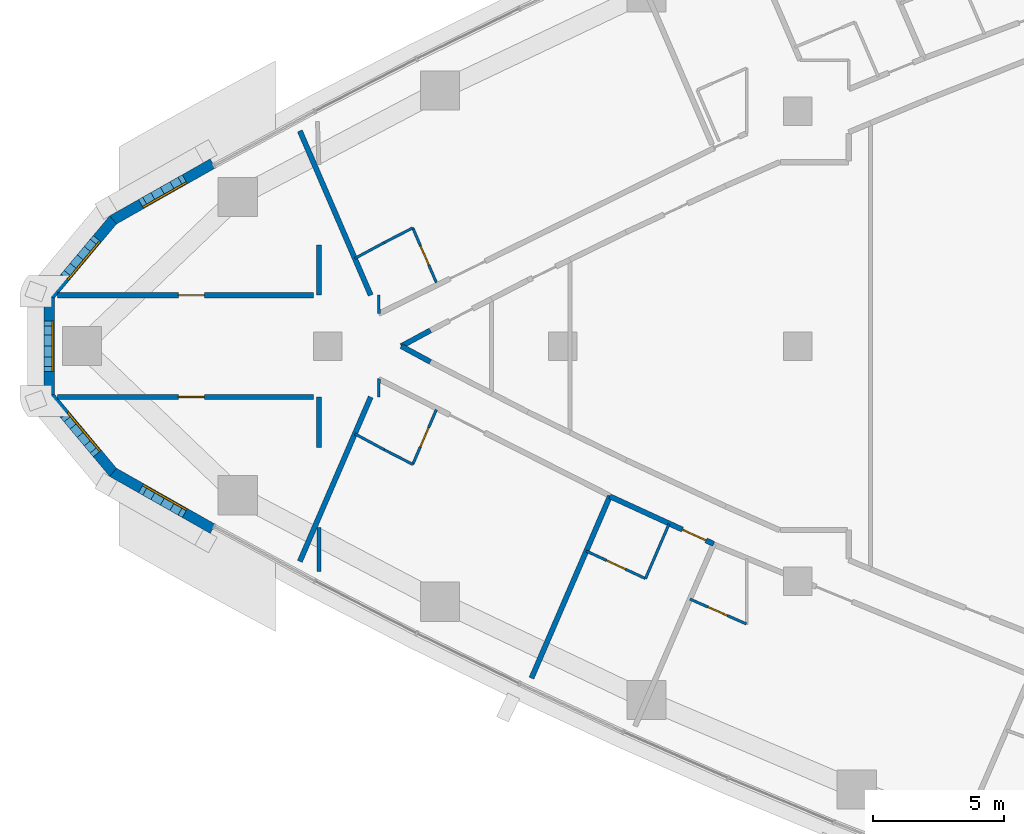
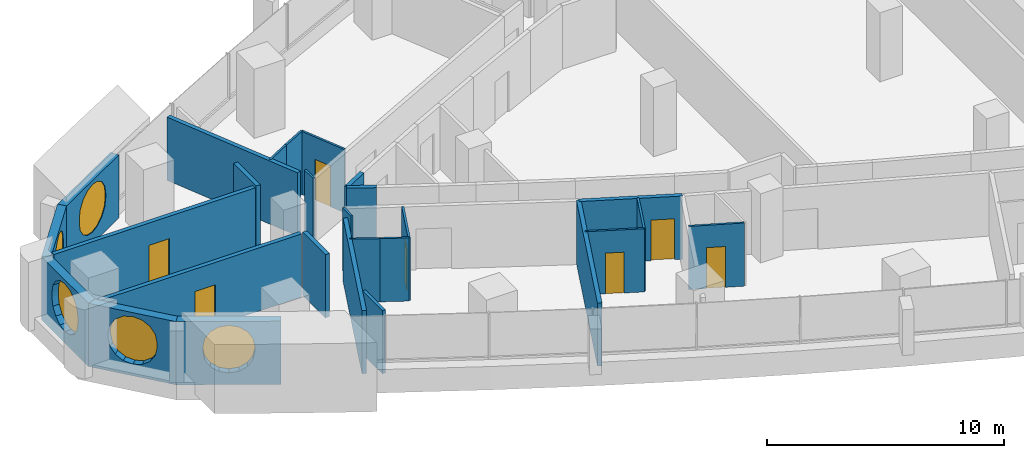
# One storey, part 8 of 17: 27 walls, 7 doors, 5 windows, 12 openings.
"""IFC4 building model written with IfcOpenShell, lengths in metres."""

from ifc_helpers import new_model, si_unit, direction, frame, frame_2d, origin, place, context, subcontext, project, spatial, polyline, rectangle, outline, extrude, material, layer, layer_set, type_object, element, fill, save


model = new_model("IFC4")

# Units and contexts
model_context = context("Model", 3, precision=1e-05, world=origin(), true_north=direction((0.0, 1.0)))
body_context = subcontext(model_context, "Body", "Model", "MODEL_VIEW")
ifc_project = project(units=[si_unit("LENGTHUNIT", "METRE"), si_unit("AREAUNIT", "SQUARE_METRE"), si_unit("VOLUMEUNIT", "CUBIC_METRE"), si_unit("PLANEANGLEUNIT", "RADIAN"), si_unit("MASSUNIT", "GRAM", prefix="KILO")], contexts=[model_context])

# Site, building, storey
site_placement = place(None, origin())
site = spatial("IfcSite", under=ifc_project, at=site_placement, CompositionType="ELEMENT")
building_placement = place(site_placement, origin())
building = spatial("IfcBuilding", under=site, at=building_placement, Name="Ostrand Prow Hotel Tower", CompositionType="ELEMENT")
storey_placement = place(building_placement, frame((0.0, 0.0, 130.199951171875)))
storey = spatial("IfcBuildingStorey", under=building, at=storey_placement, Name="L31", CompositionType="ELEMENT", Elevation=130.199951171875)

# Walls
ifc_material_1 = material(Name="Plasterboard partition")
ifc_layer_1 = layer(ifc_material_1, 0.10009765625)
ifc_layer_set_1 = layer_set([ifc_layer_1], Name="Plasterboard partition")
wall_type_1 = type_object("IfcWallType", Name="Partition 100 bathroom wall", PredefinedType="PARTITIONING", material=ifc_layer_set_1)
wall_1_placement = place(storey_placement, frame((17.03564453125, 3.3583984375, 0.0), z_axis=(0.0, 0.0, 1.0), x_axis=(0.879823588489, 0.475300382009, 0.0)))
element("IfcWall", 1, at=wall_1_placement, inside=storey, type_object=wall_type_1, Name="BATHROOM WALL", PredefinedType="PARTITIONING", context=body_context, shape_type="SweptSolid", body=[
    extrude(rectangle(XDim=1.27294921875, YDim=0.10009765625, at=frame_2d((0.636474609375, 0.0))), origin(), (0.0, 0.0, 1.0), 3.25),
])
wall_2_placement = place(storey_placement, frame((18.155517578125, 3.96337890625, 0.0), z_axis=(0.0, 0.0, 1.0), x_axis=(0.889106231322, 0.457700895154, 0.0)))
element("IfcWall", 2, at=wall_2_placement, inside=storey, type_object=wall_type_1, Name="BATHROOM WALL", PredefinedType="PARTITIONING", context=body_context, shape_type="SweptSolid", body=[
    extrude(rectangle(XDim=1.23486328125, YDim=0.10009765625, at=frame_2d((0.617431640625, 0.0))), origin(), (0.0, 0.0, 1.0), 3.25),
])

# Wall, opening, door
wall_3_placement = place(storey_placement, frame((19.253662109375, 4.528564453125, 0.0), z_axis=(0.0, 0.0, 1.0), x_axis=(0.395958457437, -0.9182684248, 0.0)))
wall_3 = element("IfcWall", 3, at=wall_3_placement, inside=storey, type_object=wall_type_1, Name="BATHROOM WALL", PredefinedType="PARTITIONING", context=body_context, shape_type="SweptSolid", body=[
    extrude(rectangle(XDim=2.281982421875, YDim=0.10009765625, at=frame_2d((1.14111328125, 0.0))), origin(), (0.0, 0.0, 1.0), 3.25),
])
opening_1_placement = place(wall_3_placement, frame((0.75, 0.0, 0.0)))
opening_1 = element("IfcOpeningElement", 4, at=opening_1_placement, cuts=wall_3, Name="Opening D2", PredefinedType="OPENING", context=body_context, shape_type="SweptSolid", body=[
    extrude(rectangle(XDim=0.800048828125, YDim=2.10009765625, at=frame_2d((0.39990234375, 1.050048828125))), frame((0.0, 0.06005859375, 0.0), z_axis=(0.0, -1.0, 0.0), x_axis=(1.0, 0.0, 0.0)), (0.0, 0.0, 1.0), 0.1201171875),
])
ifc_material_2 = material(Name="Timber door leaf", Category="wood")
door_type_1 = type_object("IfcDoorType", Name="Bathroom door 800", OperationType="SINGLE_SWING_LEFT", PredefinedType="DOOR", material=ifc_material_2)
door_1_placement = place(opening_1_placement, origin())
door_1 = element("IfcDoor", 5, at=door_1_placement, inside=storey, type_object=door_type_1, Name="DOOR", OperationType="SINGLE_SWING_LEFT", OverallHeight=2.10009765625, OverallWidth=0.800048828125, PredefinedType="DOOR", context=body_context, shape_type="SweptSolid", body=[
    extrude(rectangle(XDim=0.800048828125, YDim=2.10009765625, at=frame_2d((0.39990234375, 1.050048828125))), frame((0.0, 0.02490234375, 0.0), z_axis=(0.0, -1.0, 0.0), x_axis=(1.0, 0.0, 0.0)), (0.0, 0.0, 1.0), 0.050048828125),
])
fill(opening_1, door_1)

wall_4_placement = place(storey_placement, frame((20.1572265625, -2.43310546875, 0.0), z_axis=(0.0, 0.0, 1.0), x_axis=(-0.395958457437, -0.9182684248, 0.0)))
wall_4 = element("IfcWall", 6, at=wall_4_placement, inside=storey, type_object=wall_type_1, Name="BATHROOM WALL", PredefinedType="PARTITIONING", context=body_context, shape_type="SweptSolid", body=[
    extrude(rectangle(XDim=2.281982421875, YDim=0.10009765625, at=frame_2d((1.14111328125, 0.0))), origin(), (0.0, 0.0, 1.0), 3.25),
])
opening_2_placement = place(wall_4_placement, frame((0.75, 0.0, 0.0)))
opening_2 = element("IfcOpeningElement", 7, at=opening_2_placement, cuts=wall_4, Name="Opening D2", PredefinedType="OPENING", context=body_context, shape_type="SweptSolid", body=[
    extrude(rectangle(XDim=0.800048828125, YDim=2.10009765625, at=frame_2d((0.39990234375, 1.050048828125))), frame((0.0, 0.06005859375, 0.0), z_axis=(0.0, -1.0, 0.0), x_axis=(1.0, 0.0, 0.0)), (0.0, 0.0, 1.0), 0.1201171875),
])
door_2_placement = place(opening_2_placement, origin())
door_2 = element("IfcDoor", 8, at=door_2_placement, inside=storey, type_object=door_type_1, Name="DOOR", OperationType="SINGLE_SWING_LEFT", OverallHeight=2.10009765625, OverallWidth=0.800048828125, PredefinedType="DOOR", context=body_context, shape_type="SweptSolid", body=[
    extrude(rectangle(XDim=0.800048828125, YDim=2.10009765625, at=frame_2d((0.39990234375, 1.050048828125))), frame((0.0, 0.02490234375, 0.0), z_axis=(0.0, -1.0, 0.0), x_axis=(1.0, 0.0, 0.0)), (0.0, 0.0, 1.0), 0.050048828125),
])
fill(opening_2, door_2)

# Walls
wall_5_placement = place(storey_placement, frame((19.25341796875, -4.528564453125, 0.0), z_axis=(0.0, 0.0, 1.0), x_axis=(-0.889106231322, 0.457700895154, 0.0)))
element("IfcWall", 9, at=wall_5_placement, inside=storey, type_object=wall_type_1, Name="BATHROOM WALL", PredefinedType="PARTITIONING", context=body_context, shape_type="SweptSolid", body=[
    extrude(rectangle(XDim=1.23486328125, YDim=0.10009765625, at=frame_2d((0.617431640625, 0.0))), origin(), (0.0, 0.0, 1.0), 3.25),
])
wall_6_placement = place(storey_placement, frame((18.155517578125, -3.96337890625, 0.0), z_axis=(0.0, 0.0, 1.0), x_axis=(-0.879823588489, 0.475300382009, 0.0)))
element("IfcWall", 10, at=wall_6_placement, inside=storey, type_object=wall_type_1, Name="BATHROOM WALL", PredefinedType="PARTITIONING", context=body_context, shape_type="SweptSolid", body=[
    extrude(rectangle(XDim=1.27294921875, YDim=0.10009765625, at=frame_2d((0.636474609375, 0.0))), origin(), (0.0, 0.0, 1.0), 3.25),
])
wall_7_placement = place(storey_placement, frame((29.070068359375, -6.809814453125, 0.0), z_axis=(0.0, 0.0, 1.0), x_axis=(-0.396000751487, -0.918250186399, 0.0)))
element("IfcWall", 11, at=wall_7_placement, inside=storey, type_object=wall_type_1, Name="BATHROOM WALL", PredefinedType="PARTITIONING", context=body_context, shape_type="SweptSolid", body=[
    extrude(rectangle(XDim=2.278076171875, YDim=0.10009765625, at=frame_2d((1.13916015625, 0.0))), origin(), (0.0, 0.0, 1.0), 3.25),
])

# Wall, opening, door
wall_8_placement = place(storey_placement, frame((28.16796875, -8.901611328125, 0.0), z_axis=(0.0, 0.0, 1.0), x_axis=(-0.906813113059, 0.421532890751, 0.0)))
wall_8 = element("IfcWall", 12, at=wall_8_placement, inside=storey, type_object=wall_type_1, Name="BATHROOM WALL", PredefinedType="PARTITIONING", context=body_context, shape_type="SweptSolid", body=[
    extrude(rectangle(XDim=2.5009765625, YDim=0.10009765625, at=frame_2d((1.25048828125, 0.0))), origin(), (0.0, 0.0, 1.0), 3.25),
])
opening_3_placement = place(wall_8_placement, frame((0.85009765625, 0.0, 0.0)))
opening_3 = element("IfcOpeningElement", 13, at=opening_3_placement, cuts=wall_8, Name="Opening D2", PredefinedType="OPENING", context=body_context, shape_type="SweptSolid", body=[
    extrude(rectangle(XDim=0.800048828125, YDim=2.10009765625, at=frame_2d((0.39990234375, 1.050048828125))), frame((0.0, 0.06005859375, 0.0), z_axis=(0.0, -1.0, 0.0), x_axis=(1.0, 0.0, 0.0)), (0.0, 0.0, 1.0), 0.1201171875),
])
door_3_placement = place(opening_3_placement, origin())
door_3 = element("IfcDoor", 14, at=door_3_placement, inside=storey, type_object=door_type_1, Name="DOOR", OperationType="SINGLE_SWING_LEFT", OverallHeight=2.10009765625, OverallWidth=0.800048828125, PredefinedType="DOOR", context=body_context, shape_type="SweptSolid", body=[
    extrude(rectangle(XDim=0.800048828125, YDim=2.10009765625, at=frame_2d((0.39990234375, 1.050048828125))), frame((0.0, 0.02490234375, 0.0), z_axis=(0.0, -1.0, 0.0), x_axis=(1.0, 0.0, 0.0)), (0.0, 0.0, 1.0), 0.050048828125),
])
fill(opening_3, door_3)

wall_9_placement = place(storey_placement, frame((32.02783203125, -10.638427734375, 0.0), z_axis=(0.0, 0.0, 1.0), x_axis=(-0.915108845766, 0.403206895278, 0.0)))
wall_9 = element("IfcWall", 15, at=wall_9_placement, inside=storey, type_object=wall_type_1, Name="BATHROOM WALL", PredefinedType="PARTITIONING", context=body_context, shape_type="SweptSolid", body=[
    extrude(rectangle(XDim=2.3583984375, YDim=0.10009765625, at=frame_2d((1.17919921875, 0.0))), origin(), (0.0, 0.0, 1.0), 3.25),
])
opening_4_placement = place(wall_9_placement, frame((0.800048828125, 0.0, 0.0)))
opening_4 = element("IfcOpeningElement", 16, at=opening_4_placement, cuts=wall_9, Name="Opening D2", PredefinedType="OPENING", context=body_context, shape_type="SweptSolid", body=[
    extrude(rectangle(XDim=0.800048828125, YDim=2.10009765625, at=frame_2d((0.39990234375, 1.050048828125))), frame((0.0, 0.06005859375, 0.0), z_axis=(0.0, -1.0, 0.0), x_axis=(1.0, 0.0, 0.0)), (0.0, 0.0, 1.0), 0.1201171875),
])
door_4_placement = place(opening_4_placement, origin())
door_4 = element("IfcDoor", 17, at=door_4_placement, inside=storey, type_object=door_type_1, Name="DOOR", OperationType="SINGLE_SWING_LEFT", OverallHeight=2.10009765625, OverallWidth=0.800048828125, PredefinedType="DOOR", context=body_context, shape_type="SweptSolid", body=[
    extrude(rectangle(XDim=0.800048828125, YDim=2.10009765625, at=frame_2d((0.39990234375, 1.050048828125))), frame((0.0, 0.02490234375, 0.0), z_axis=(0.0, -1.0, 0.0), x_axis=(1.0, 0.0, 0.0)), (0.0, 0.0, 1.0), 0.050048828125),
])
fill(opening_4, door_4)

# Walls
for number, where, z_axis, x_axis, name in (
    (18, (17.959716796875, 1.248779296875, 0.0), (0.0, 0.0, 1.0), (-0.007291472831, 0.999973416859, 0.0), "BATHROOM WALL"),
    (19, (17.95458984375, -1.951904296875, 0.0), (0.0, 0.0, 1.0), (0.007291472831, 0.999973416859, 0.0), "BATHROOM WALL"),
):
    element("IfcWall", number, at=place(storey_placement, frame(where, z_axis=z_axis, x_axis=x_axis)), inside=storey, type_object=wall_type_1, Name=name, PredefinedType="PARTITIONING", context=body_context, shape_type="SweptSolid", body=[
        extrude(rectangle(XDim=0.703125, YDim=0.10009765625, at=frame_2d((0.3515625, 0.0))), origin(), (0.0, 0.0, 1.0), 3.25),
    ])
ifc_material_3 = material(Name="Plasterboard partition")
ifc_layer_2 = layer(ifc_material_3, 0.14990234375)
ifc_layer_set_2 = layer_set([ifc_layer_2], Name="Plasterboard partition")
wall_type_2 = type_object("IfcWallType", Name="Partition 150 room partition", PredefinedType="PARTITIONING", material=ifc_layer_set_2)
wall_10_placement = place(storey_placement, frame((15.65869140625, -6.955078125, 0.0), z_axis=(0.0, 0.0, 1.0), x_axis=(0.0, -1.0, 0.0)))
element("IfcWall", 20, at=wall_10_placement, inside=storey, type_object=wall_type_2, Name="ROOM PARTITION", PredefinedType="PARTITIONING", context=body_context, shape_type="SweptSolid", body=[
    extrude(rectangle(XDim=1.68359375, YDim=0.14990234375, at=frame_2d((0.841796875, 0.0))), origin(), (0.0, 0.0, 1.0), 3.25),
])

# Wall, opening, door
ifc_material_4 = material(Name="Plasterboard partition")
ifc_layer_3 = layer(ifc_material_4, 0.199951171875)
ifc_layer_set_3 = layer_set([ifc_layer_3], Name="Plasterboard partition")
wall_type_3 = type_object("IfcWallType", Name="Partition 200 corridor wall", PredefinedType="PARTITIONING", material=ifc_layer_set_3)
wall_11_placement = place(storey_placement, frame((5.654296875, 1.949951171875, 0.0), z_axis=(0.0, 0.0, 1.0), x_axis=(1.0, 0.0, 0.0)))
wall_11 = element("IfcWall", 21, at=wall_11_placement, inside=storey, type_object=wall_type_3, Name="CORRIDOR WALL", PredefinedType="PARTITIONING", context=body_context, shape_type="SweptSolid", body=[
    extrude(rectangle(XDim=9.804443359375, YDim=0.199951171875, at=frame_2d((4.90234375, 0.0))), origin(), (0.0, 0.0, 1.0), 3.25),
])
opening_5_placement = place(wall_11_placement, frame((4.618408203125, 0.0, 0.0)))
opening_5 = element("IfcOpeningElement", 22, at=opening_5_placement, cuts=wall_11, Name="Opening D1", PredefinedType="OPENING", context=body_context, shape_type="SweptSolid", body=[
    extrude(rectangle(XDim=1.0, YDim=2.10009765625, at=frame_2d((0.5, 1.050048828125))), frame((0.0, 0.10986328125, 0.0), z_axis=(0.0, -1.0, 0.0), x_axis=(1.0, 0.0, 0.0)), (0.0, 0.0, 1.0), 0.219970703125),
])
ifc_material_5 = material(Name="Timber door leaf", Category="wood")
door_type_2 = type_object("IfcDoorType", Name="Guest room door 1000", OperationType="SINGLE_SWING_LEFT", PredefinedType="DOOR", material=ifc_material_5)
door_5_placement = place(opening_5_placement, origin())
door_5 = element("IfcDoor", 23, at=door_5_placement, inside=storey, type_object=door_type_2, Name="DOOR", OperationType="SINGLE_SWING_LEFT", OverallHeight=2.10009765625, OverallWidth=1.0, PredefinedType="DOOR", context=body_context, shape_type="SweptSolid", body=[
    extrude(rectangle(XDim=1.0, YDim=2.10009765625, at=frame_2d((0.5, 1.050048828125))), frame((0.0, 0.02490234375, 0.0), z_axis=(0.0, -1.0, 0.0), x_axis=(1.0, 0.0, 0.0)), (0.0, 0.0, 1.0), 0.050048828125),
])
fill(opening_5, door_5)

wall_12_placement = place(storey_placement, frame((5.654296875, -1.949951171875, 0.0), z_axis=(0.0, 0.0, 1.0), x_axis=(1.0, 0.0, 0.0)))
wall_12 = element("IfcWall", 24, at=wall_12_placement, inside=storey, type_object=wall_type_3, Name="CORRIDOR WALL", PredefinedType="PARTITIONING", context=body_context, shape_type="SweptSolid", body=[
    extrude(rectangle(XDim=9.804443359375, YDim=0.199951171875, at=frame_2d((4.90234375, 0.0))), origin(), (0.0, 0.0, 1.0), 3.25),
])
opening_6_placement = place(wall_12_placement, frame((4.618408203125, 0.0, 0.0)))
opening_6 = element("IfcOpeningElement", 25, at=opening_6_placement, cuts=wall_12, Name="Opening D1R", PredefinedType="OPENING", context=body_context, shape_type="SweptSolid", body=[
    extrude(rectangle(XDim=1.0, YDim=2.10009765625, at=frame_2d((0.5, 1.050048828125))), frame((0.0, 0.10986328125, 0.0), z_axis=(0.0, -1.0, 0.0), x_axis=(1.0, 0.0, 0.0)), (0.0, 0.0, 1.0), 0.219970703125),
])
ifc_material_6 = material(Name="Timber door leaf", Category="wood")
door_type_3 = type_object("IfcDoorType", Name="Guest room door 1000 right", OperationType="SINGLE_SWING_RIGHT", PredefinedType="DOOR", material=ifc_material_6)
door_6_placement = place(opening_6_placement, origin())
door_6 = element("IfcDoor", 26, at=door_6_placement, inside=storey, type_object=door_type_3, Name="DOOR", OperationType="SINGLE_SWING_RIGHT", OverallHeight=2.10009765625, OverallWidth=1.0, PredefinedType="DOOR", context=body_context, shape_type="SweptSolid", body=[
    extrude(rectangle(XDim=1.0, YDim=2.10009765625, at=frame_2d((0.5, 1.050048828125))), frame((0.0, 0.02490234375, 0.0), z_axis=(0.0, -1.0, 0.0), x_axis=(1.0, 0.0, 0.0)), (0.0, 0.0, 1.0), 0.050048828125),
])
fill(opening_6, door_6)

wall_13_placement = place(storey_placement, frame((26.80322265625, -5.7529296875, 0.0), z_axis=(0.0, 0.0, 1.0), x_axis=(0.90910092787, -0.416575926987, 0.0)))
wall_13 = element("IfcWall", 27, at=wall_13_placement, inside=storey, type_object=wall_type_3, Name="CORRIDOR WALL", PredefinedType="PARTITIONING", context=body_context, shape_type="SweptSolid", body=[
    extrude(rectangle(XDim=4.375, YDim=0.199951171875, at=frame_2d((2.1875, 0.0))), origin(), (0.0, 0.0, 1.0), 3.25),
])
opening_7_placement = place(wall_13_placement, frame((3.050048828125, 0.0, 0.0)))
opening_7 = element("IfcOpeningElement", 28, at=opening_7_placement, cuts=wall_13, Name="Opening D1R", PredefinedType="OPENING", context=body_context, shape_type="SweptSolid", body=[
    extrude(rectangle(XDim=1.0, YDim=2.10009765625, at=frame_2d((0.5, 1.050048828125))), frame((0.0, 0.10986328125, 0.0), z_axis=(0.0, -1.0, 0.0), x_axis=(1.0, 0.0, 0.0)), (0.0, 0.0, 1.0), 0.219970703125),
])
door_7_placement = place(opening_7_placement, origin())
door_7 = element("IfcDoor", 29, at=door_7_placement, inside=storey, type_object=door_type_3, Name="DOOR", OperationType="SINGLE_SWING_RIGHT", OverallHeight=2.10009765625, OverallWidth=1.0, PredefinedType="DOOR", context=body_context, shape_type="SweptSolid", body=[
    extrude(rectangle(XDim=1.0, YDim=2.10009765625, at=frame_2d((0.5, 1.050048828125))), frame((0.0, 0.02490234375, 0.0), z_axis=(0.0, -1.0, 0.0), x_axis=(1.0, 0.0, 0.0)), (0.0, 0.0, 1.0), 0.050048828125),
])
fill(opening_7, door_7)

# Walls
for number, where, z_axis, x_axis, name in (
    (30, (19.928466796875, -0.60205078125, 0.0), (0.0, 0.0, 1.0), (-0.879832865766, 0.475283208538, 0.0), "CORRIDOR WALL"),
    (31, (18.81396484375, 0.0, 0.0), (0.0, 0.0, 1.0), (0.879832865766, 0.475283208538, 0.0), "CORRIDOR WALL"),
):
    element("IfcWall", number, at=place(storey_placement, frame(where, z_axis=z_axis, x_axis=x_axis)), inside=storey, type_object=wall_type_3, Name=name, PredefinedType="PARTITIONING", context=body_context, shape_type="SweptSolid", body=[
        extrude(rectangle(XDim=1.2666015625, YDim=0.199951171875, at=frame_2d((0.63330078125, 0.0))), origin(), (0.0, 0.0, 1.0), 3.25),
    ])
wall_14_placement = place(storey_placement, frame((15.65869140625, 3.869384765625, 0.0), z_axis=(0.0, 0.0, 1.0), x_axis=(0.0, -1.0, 0.0)))
element("IfcWall", 32, at=wall_14_placement, inside=storey, type_object=wall_type_3, Name="CORRIDOR WALL", PredefinedType="PARTITIONING", context=body_context, shape_type="SweptSolid", body=[
    extrude(rectangle(XDim=1.914306640625, YDim=0.199951171875, at=frame_2d((0.95703125, 0.0))), origin(), (0.0, 0.0, 1.0), 3.25),
])
wall_15_placement = place(storey_placement, frame((15.65869140625, -1.955078125, 0.0), z_axis=(0.0, 0.0, 1.0), x_axis=(0.0, -1.0, 0.0)))
element("IfcWall", 33, at=wall_15_placement, inside=storey, type_object=wall_type_3, Name="CORRIDOR WALL", PredefinedType="PARTITIONING", context=body_context, shape_type="SweptSolid", body=[
    extrude(rectangle(XDim=1.921630859375, YDim=0.199951171875, at=frame_2d((0.9609375, 0.0))), origin(), (0.0, 0.0, 1.0), 3.25),
])
ifc_material_7 = material(Name="Plasterboard partition")
ifc_layer_4 = layer(ifc_material_7, 0.199951171875)
ifc_layer_set_4 = layer_set([ifc_layer_4], Name="Plasterboard partition")
wall_type_4 = type_object("IfcWallType", Name="Partition 200 key partition", PredefinedType="PARTITIONING", material=ifc_layer_set_4)
for number, where, z_axis, x_axis, name in (
    (34, (17.64306640625, 1.949951171875, 0.0), (0.0, 0.0, 1.0), (-0.395994543879, 0.918252863441, 0.0), "KEY PARTITION"),
    (35, (14.9287109375, -8.244140625, 0.0), (0.0, 0.0, 1.0), (0.395994543879, 0.918252863441, 0.0), "KEY PARTITION"),
):
    element("IfcWall", number, at=place(storey_placement, frame(where, z_axis=z_axis, x_axis=x_axis)), inside=storey, type_object=wall_type_4, Name=name, PredefinedType="PARTITIONING", context=body_context, shape_type="SweptSolid", body=[
        extrude(rectangle(XDim=6.8544921875, YDim=0.199951171875, at=frame_2d((3.42724609375, 0.0))), origin(), (0.0, 0.0, 1.0), 3.25),
    ])
wall_16_placement = place(storey_placement, frame((23.800537109375, -12.716064453125, 0.0), z_axis=(0.0, 0.0, 1.0), x_axis=(0.395995556294, 0.918252426839, 0.0)))
element("IfcWall", 36, at=wall_16_placement, inside=storey, type_object=wall_type_4, Name="KEY PARTITION", PredefinedType="PARTITIONING", context=body_context, shape_type="SweptSolid", body=[
    extrude(rectangle(XDim=7.60302734375, YDim=0.199951171875, at=frame_2d((3.801513671875, 0.0))), origin(), (0.0, 0.0, 1.0), 3.25),
])

# Wall, opening, window
ifc_material_8 = material(Name="Precast concrete C40/50", Category="concrete")
ifc_layer_5 = layer(ifc_material_8, 0.39990234375)
ifc_layer_set_5 = layer_set([ifc_layer_5], Name="Precast concrete C40/50")
wall_type_5 = type_object("IfcWallType", Name="Stone-faced precast wall 400 mm", PredefinedType="NOTDEFINED", material=ifc_layer_set_5)
wall_17_placement = place(storey_placement, frame((11.594482421875, 6.996826171875, 0.0), z_axis=(0.0, 0.0, 1.0), x_axis=(-0.870045255208, -0.492971859125, 0.0)))
wall_17 = element("IfcWall", 37, at=wall_17_placement, inside=storey, type_object=wall_type_5, Name="Stone-faced wall prow 1", PredefinedType="NOTDEFINED", context=body_context, shape_type="SweptSolid", body=[
    extrude(outline(polyline([(0.0, -0.199951171875), (4.424072265625, -0.199951171875), (4.351806640625, 0.199951171875), (0.0, 0.199951171875), (0.0, -0.199951171875)])), origin(), (0.0, 0.0, 1.0), 3.25),
])
opening_8_placement = place(wall_17_placement, frame((1.093994140625, 0.0, 0.60009765625)))
opening_8 = element("IfcOpeningElement", 38, at=opening_8_placement, cuts=wall_17, Name="Opening WP1", PredefinedType="OPENING", context=body_context, shape_type="SweptSolid", body=[
    extrude(outline(polyline([(0.0, 1.35009765625), (0.083740234375, 1.77099609375), (0.322265625, 2.127685546875), (0.678955078125, 2.3662109375), (1.10009765625, 2.449951171875), (1.52099609375, 2.3662109375), (1.877685546875, 2.127685546875), (2.1162109375, 1.77099609375), (2.199951171875, 1.35009765625), (2.199951171875, 1.10009765625), (2.1162109375, 0.678955078125), (1.877685546875, 0.322265625), (1.52099609375, 0.083740234375), (1.10009765625, 0.0), (0.678955078125, 0.083740234375), (0.322265625, 0.322265625), (0.083740234375, 0.678955078125), (0.0, 1.099853515625), (0.0, 1.35009765625)])), frame((0.0, 0.2099609375, 0.0), z_axis=(0.0, -1.0, 0.0), x_axis=(1.0, 0.0, 0.0)), (0.0, 0.0, 1.0), 0.419921875),
])
ifc_material_9 = material(Name="Insulated glass in bronze frame", Category="glass")
window_type = type_object("IfcWindowType", Name="Round-ended prow window 2200x2450", PartitioningType="SINGLE_PANEL", PredefinedType="WINDOW", material=ifc_material_9)
window_1_placement = place(opening_8_placement, origin())
window_1 = element("IfcWindow", 39, at=window_1_placement, inside=storey, type_object=window_type, Name="Window prow 1.1", OverallHeight=2.449951171875, OverallWidth=2.199951171875, PartitioningType="SINGLE_PANEL", PredefinedType="WINDOW", context=body_context, shape_type="SweptSolid", body=[
    extrude(outline(polyline([(0.0, 1.35009765625), (0.083740234375, 1.77099609375), (0.322265625, 2.127685546875), (0.678955078125, 2.3662109375), (1.10009765625, 2.449951171875), (1.52099609375, 2.3662109375), (1.877685546875, 2.127685546875), (2.1162109375, 1.77099609375), (2.199951171875, 1.35009765625), (2.199951171875, 1.10009765625), (2.1162109375, 0.678955078125), (1.877685546875, 0.322265625), (1.52099609375, 0.083740234375), (1.10009765625, 0.0), (0.678955078125, 0.083740234375), (0.322265625, 0.322265625), (0.083740234375, 0.678955078125), (0.0, 1.099853515625), (0.0, 1.35009765625)])), frame((0.0, 0.169921875, 0.0), z_axis=(0.0, -1.0, 0.0), x_axis=(1.0, 0.0, 0.0)), (0.0, 0.0, 1.0), 0.06005859375),
])
fill(opening_8, window_1)

wall_18_placement = place(storey_placement, frame((7.77685546875, 4.833740234375, 0.0), z_axis=(0.0, 0.0, 1.0), x_axis=(-0.641787918235, -0.766882173484, 0.0)))
wall_18 = element("IfcWall", 40, at=wall_18_placement, inside=storey, type_object=wall_type_5, Name="Stone-faced wall prow 2", PredefinedType="NOTDEFINED", context=body_context, shape_type="SweptSolid", body=[
    extrude(outline(polyline([(-0.0361328125, -0.199951171875), (3.887939453125, -0.199951171875), (3.742919921875, 0.199951171875), (0.0361328125, 0.199951171875), (-0.0361328125, -0.199951171875)])), origin(), (0.0, 0.0, 1.0), 3.25),
])
opening_9_placement = place(wall_18_placement, frame((0.8076171875, 0.0, 0.60009765625)))
opening_9 = element("IfcOpeningElement", 41, at=opening_9_placement, cuts=wall_18, Name="Opening WP1", PredefinedType="OPENING", context=body_context, shape_type="SweptSolid", body=[
    extrude(outline(polyline([(0.0, 1.35009765625), (0.083740234375, 1.77099609375), (0.322265625, 2.127685546875), (0.678955078125, 2.3662109375), (1.10009765625, 2.449951171875), (1.52099609375, 2.3662109375), (1.877685546875, 2.127685546875), (2.1162109375, 1.77099609375), (2.199951171875, 1.35009765625), (2.199951171875, 1.10009765625), (2.1162109375, 0.678955078125), (1.877685546875, 0.322265625), (1.52099609375, 0.083740234375), (1.10009765625, 0.0), (0.678955078125, 0.083740234375), (0.322265625, 0.322265625), (0.083740234375, 0.678955078125), (0.0, 1.099853515625), (0.0, 1.35009765625)])), frame((0.0, 0.2099609375, 0.0), z_axis=(0.0, -1.0, 0.0), x_axis=(1.0, 0.0, 0.0)), (0.0, 0.0, 1.0), 0.419921875),
])
window_2_placement = place(opening_9_placement, origin())
window_2 = element("IfcWindow", 42, at=window_2_placement, inside=storey, type_object=window_type, Name="Window prow 2.1", OverallHeight=2.449951171875, OverallWidth=2.199951171875, PartitioningType="SINGLE_PANEL", PredefinedType="WINDOW", context=body_context, shape_type="SweptSolid", body=[
    extrude(outline(polyline([(0.0, 1.35009765625), (0.083740234375, 1.77099609375), (0.322265625, 2.127685546875), (0.678955078125, 2.3662109375), (1.10009765625, 2.449951171875), (1.52099609375, 2.3662109375), (1.877685546875, 2.127685546875), (2.1162109375, 1.77099609375), (2.199951171875, 1.35009765625), (2.199951171875, 1.10009765625), (2.1162109375, 0.678955078125), (1.877685546875, 0.322265625), (1.52099609375, 0.083740234375), (1.10009765625, 0.0), (0.678955078125, 0.083740234375), (0.322265625, 0.322265625), (0.083740234375, 0.678955078125), (0.0, 1.099853515625), (0.0, 1.35009765625)])), frame((0.0, 0.169921875, 0.0), z_axis=(0.0, -1.0, 0.0), x_axis=(1.0, 0.0, 0.0)), (0.0, 0.0, 1.0), 0.06005859375),
])
fill(opening_9, window_2)

wall_19_placement = place(storey_placement, frame((5.328125, 1.90771484375, 0.0), z_axis=(0.0, 0.0, 1.0), x_axis=(0.0, -1.0, 0.0)))
wall_19 = element("IfcWall", 43, at=wall_19_placement, inside=storey, type_object=wall_type_5, Name="Stone-faced wall prow 3", PredefinedType="NOTDEFINED", context=body_context, shape_type="SweptSolid", body=[
    extrude(outline(polyline([(-0.072509765625, -0.199951171875), (3.887939453125, -0.199951171875), (3.742919921875, 0.199951171875), (0.072509765625, 0.199951171875), (-0.072509765625, -0.199951171875)])), origin(), (0.0, 0.0, 1.0), 3.25),
])
opening_10_placement = place(wall_19_placement, frame((0.8076171875, 0.0, 0.60009765625)))
opening_10 = element("IfcOpeningElement", 44, at=opening_10_placement, cuts=wall_19, Name="Opening WP1", PredefinedType="OPENING", context=body_context, shape_type="SweptSolid", body=[
    extrude(outline(polyline([(0.0, 1.35009765625), (0.083740234375, 1.77099609375), (0.322265625, 2.127685546875), (0.678955078125, 2.3662109375), (1.10009765625, 2.449951171875), (1.52099609375, 2.3662109375), (1.877685546875, 2.127685546875), (2.1162109375, 1.77099609375), (2.199951171875, 1.35009765625), (2.199951171875, 1.10009765625), (2.1162109375, 0.678955078125), (1.877685546875, 0.322265625), (1.52099609375, 0.083740234375), (1.10009765625, 0.0), (0.678955078125, 0.083740234375), (0.322265625, 0.322265625), (0.083740234375, 0.678955078125), (0.0, 1.099853515625), (0.0, 1.35009765625)])), frame((0.0, 0.2099609375, 0.0), z_axis=(0.0, -1.0, 0.0), x_axis=(1.0, 0.0, 0.0)), (0.0, 0.0, 1.0), 0.419921875),
])
window_3_placement = place(opening_10_placement, origin())
window_3 = element("IfcWindow", 45, at=window_3_placement, inside=storey, type_object=window_type, Name="Window prow 3.1", OverallHeight=2.449951171875, OverallWidth=2.199951171875, PartitioningType="SINGLE_PANEL", PredefinedType="WINDOW", context=body_context, shape_type="SweptSolid", body=[
    extrude(outline(polyline([(0.0, 1.35009765625), (0.083740234375, 1.77099609375), (0.322265625, 2.127685546875), (0.678955078125, 2.3662109375), (1.10009765625, 2.449951171875), (1.52099609375, 2.3662109375), (1.877685546875, 2.127685546875), (2.1162109375, 1.77099609375), (2.199951171875, 1.35009765625), (2.199951171875, 1.10009765625), (2.1162109375, 0.678955078125), (1.877685546875, 0.322265625), (1.52099609375, 0.083740234375), (1.10009765625, 0.0), (0.678955078125, 0.083740234375), (0.322265625, 0.322265625), (0.083740234375, 0.678955078125), (0.0, 1.099853515625), (0.0, 1.35009765625)])), frame((0.0, 0.169921875, 0.0), z_axis=(0.0, -1.0, 0.0), x_axis=(1.0, 0.0, 0.0)), (0.0, 0.0, 1.0), 0.06005859375),
])
fill(opening_10, window_3)

wall_20_placement = place(storey_placement, frame((5.328125, -1.90771484375, 0.0), z_axis=(0.0, 0.0, 1.0), x_axis=(0.641787918235, -0.766882173484, 0.0)))
wall_20 = element("IfcWall", 46, at=wall_20_placement, inside=storey, type_object=wall_type_5, Name="Stone-faced wall prow 4", PredefinedType="NOTDEFINED", context=body_context, shape_type="SweptSolid", body=[
    extrude(outline(polyline([(-0.072509765625, -0.199951171875), (3.8515625, -0.199951171875), (3.779296875, 0.199951171875), (0.072509765625, 0.199951171875), (-0.072509765625, -0.199951171875)])), origin(), (0.0, 0.0, 1.0), 3.25),
])
opening_11_placement = place(wall_20_placement, frame((0.8076171875, 0.0, 0.60009765625)))
opening_11 = element("IfcOpeningElement", 47, at=opening_11_placement, cuts=wall_20, Name="Opening WP1", PredefinedType="OPENING", context=body_context, shape_type="SweptSolid", body=[
    extrude(outline(polyline([(0.0, 1.35009765625), (0.083740234375, 1.77099609375), (0.322265625, 2.127685546875), (0.678955078125, 2.3662109375), (1.10009765625, 2.449951171875), (1.52099609375, 2.3662109375), (1.877685546875, 2.127685546875), (2.1162109375, 1.77099609375), (2.199951171875, 1.35009765625), (2.199951171875, 1.10009765625), (2.1162109375, 0.678955078125), (1.877685546875, 0.322265625), (1.52099609375, 0.083740234375), (1.10009765625, 0.0), (0.678955078125, 0.083740234375), (0.322265625, 0.322265625), (0.083740234375, 0.678955078125), (0.0, 1.099853515625), (0.0, 1.35009765625)])), frame((0.0, 0.2099609375, 0.0), z_axis=(0.0, -1.0, 0.0), x_axis=(1.0, 0.0, 0.0)), (0.0, 0.0, 1.0), 0.419921875),
])
window_4_placement = place(opening_11_placement, origin())
window_4 = element("IfcWindow", 48, at=window_4_placement, inside=storey, type_object=window_type, Name="Window prow 4.1", OverallHeight=2.449951171875, OverallWidth=2.199951171875, PartitioningType="SINGLE_PANEL", PredefinedType="WINDOW", context=body_context, shape_type="SweptSolid", body=[
    extrude(outline(polyline([(0.0, 1.35009765625), (0.083740234375, 1.77099609375), (0.322265625, 2.127685546875), (0.678955078125, 2.3662109375), (1.10009765625, 2.449951171875), (1.52099609375, 2.3662109375), (1.877685546875, 2.127685546875), (2.1162109375, 1.77099609375), (2.199951171875, 1.35009765625), (2.199951171875, 1.10009765625), (2.1162109375, 0.678955078125), (1.877685546875, 0.322265625), (1.52099609375, 0.083740234375), (1.10009765625, 0.0), (0.678955078125, 0.083740234375), (0.322265625, 0.322265625), (0.083740234375, 0.678955078125), (0.0, 1.099853515625), (0.0, 1.35009765625)])), frame((0.0, 0.169921875, 0.0), z_axis=(0.0, -1.0, 0.0), x_axis=(1.0, 0.0, 0.0)), (0.0, 0.0, 1.0), 0.06005859375),
])
fill(opening_11, window_4)

wall_21_placement = place(storey_placement, frame((7.77685546875, -4.833740234375, 0.0), z_axis=(0.0, 0.0, 1.0), x_axis=(0.870045255208, -0.492971859125, 0.0)))
wall_21 = element("IfcWall", 49, at=wall_21_placement, inside=storey, type_object=wall_type_5, Name="Stone-faced wall prow 5", PredefinedType="NOTDEFINED", context=body_context, shape_type="SweptSolid", body=[
    extrude(outline(polyline([(-0.0361328125, -0.199951171875), (4.387939453125, -0.199951171875), (4.387939453125, 0.199951171875), (0.0361328125, 0.199951171875), (-0.0361328125, -0.199951171875)])), origin(), (0.0, 0.0, 1.0), 3.25),
])
opening_12_placement = place(wall_21_placement, frame((1.093994140625, 0.0, 0.60009765625)))
opening_12 = element("IfcOpeningElement", 50, at=opening_12_placement, cuts=wall_21, Name="Opening WP1", PredefinedType="OPENING", context=body_context, shape_type="SweptSolid", body=[
    extrude(outline(polyline([(0.0, 1.35009765625), (0.083740234375, 1.77099609375), (0.322265625, 2.127685546875), (0.678955078125, 2.3662109375), (1.10009765625, 2.449951171875), (1.52099609375, 2.3662109375), (1.877685546875, 2.127685546875), (2.1162109375, 1.77099609375), (2.199951171875, 1.35009765625), (2.199951171875, 1.10009765625), (2.1162109375, 0.678955078125), (1.877685546875, 0.322265625), (1.52099609375, 0.083740234375), (1.10009765625, 0.0), (0.678955078125, 0.083740234375), (0.322265625, 0.322265625), (0.083740234375, 0.678955078125), (0.0, 1.099853515625), (0.0, 1.35009765625)])), frame((0.0, 0.2099609375, 0.0), z_axis=(0.0, -1.0, 0.0), x_axis=(1.0, 0.0, 0.0)), (0.0, 0.0, 1.0), 0.419921875),
])
window_5_placement = place(opening_12_placement, origin())
window_5 = element("IfcWindow", 51, at=window_5_placement, inside=storey, type_object=window_type, Name="Window prow 5.1", OverallHeight=2.449951171875, OverallWidth=2.199951171875, PartitioningType="SINGLE_PANEL", PredefinedType="WINDOW", context=body_context, shape_type="SweptSolid", body=[
    extrude(outline(polyline([(0.0, 1.35009765625), (0.083740234375, 1.77099609375), (0.322265625, 2.127685546875), (0.678955078125, 2.3662109375), (1.10009765625, 2.449951171875), (1.52099609375, 2.3662109375), (1.877685546875, 2.127685546875), (2.1162109375, 1.77099609375), (2.199951171875, 1.35009765625), (2.199951171875, 1.10009765625), (2.1162109375, 0.678955078125), (1.877685546875, 0.322265625), (1.52099609375, 0.083740234375), (1.10009765625, 0.0), (0.678955078125, 0.083740234375), (0.322265625, 0.322265625), (0.083740234375, 0.678955078125), (0.0, 1.099853515625), (0.0, 1.35009765625)])), frame((0.0, 0.169921875, 0.0), z_axis=(0.0, -1.0, 0.0), x_axis=(1.0, 0.0, 0.0)), (0.0, 0.0, 1.0), 0.06005859375),
])
fill(opening_12, window_5)

save(model, "model.ifc")
